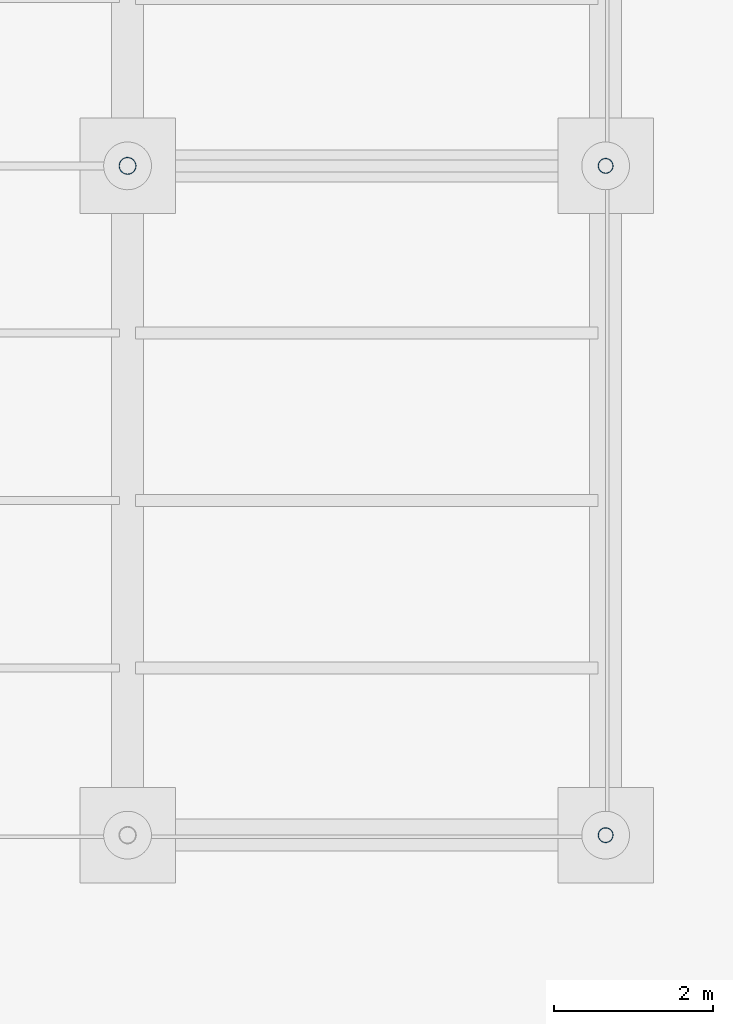
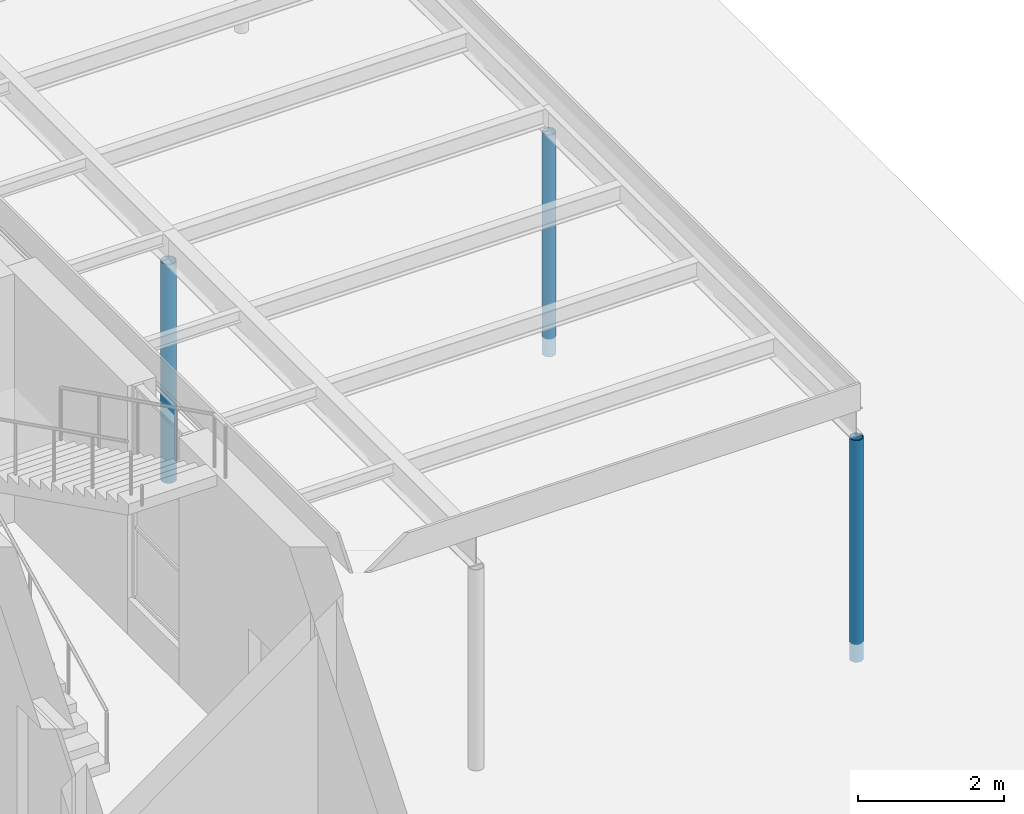
# One storey, part 25 of 138: 3 columns.
"""IFC4 building model written with IfcOpenShell, lengths in metres."""

import ifcopenshell
import ifcopenshell.guid

model = None  # the IFC model being written
_history = None  # IfcOwnerHistory: only IFC2X3 demands one
_inside = {}  # id of a spatial element -> (the spatial element, [elements in it])
_under = {}  # id of a project, library or spatial element -> (it, [spatial elements below it])
_declared = {}  # id of a project -> (the project, [libraries it declares])
_typed = {}  # id of a type object -> (the type object, [elements of that type])
_made_of = {}  # id of a material, layer set ... -> (it, [elements and type objects made of it])


def new_model(schema):
    """Start an empty IFC model of exactly this schema.

    Asked for "IFC4X3", IfcOpenShell would pick the latest addendum, in which some entities
    have other attributes; the version numbers below select the first issue.
    IFC2X3 requires an IfcOwnerHistory on every rooted entity: one is made here for all.
    """
    global model, _history
    if schema == "IFC4X3":
        model = ifcopenshell.file(schema_version=(4, 3, 0, 0))
    else:
        model = ifcopenshell.file(schema=schema)
    _inside.clear()
    _under.clear()
    _declared.clear()
    _typed.clear()
    _made_of.clear()
    _history = None
    if model.schema == "IFC2X3":
        org = make("IfcOrganization", Name="unknown")
        user = make(
            "IfcPersonAndOrganization",
            ThePerson=make("IfcPerson", FamilyName="unknown"),
            TheOrganization=org,
        )
        app = make(
            "IfcApplication",
            ApplicationDeveloper=org,
            Version="unknown",
            ApplicationFullName="unknown",
            ApplicationIdentifier="unknown",
        )
        _history = make(
            "IfcOwnerHistory",
            OwningUser=user,
            OwningApplication=app,
            ChangeAction="ADDED",
            CreationDate=0,
        )
    return model


def make(cls, **values):
    """One entity of the class cls with the attributes given. An attribute that is None is left unset."""
    return model.create_entity(
        cls, **{name: value for name, value in values.items() if value is not None}
    )


def rooted(cls, **values):
    """An entity with a GlobalId (a new one), such as an element, a storey or a relation."""
    return make(cls, GlobalId=ifcopenshell.guid.new(), OwnerHistory=_history, **values)


def si_unit(unit_type, name, prefix=None):
    """IfcSIUnit, for example si_unit("LENGTHUNIT", "METRE", prefix="MILLI")."""
    return make("IfcSIUnit", UnitType=unit_type, Prefix=prefix, Name=name)


def assignment(units):
    """IfcUnitAssignment: the units of a project."""
    return None if units is None else make("IfcUnitAssignment", Units=units)


def point(xyz):
    """IfcCartesianPoint."""
    return None if xyz is None else make("IfcCartesianPoint", Coordinates=xyz)


def direction(xyz):
    """IfcDirection."""
    return None if xyz is None else make("IfcDirection", DirectionRatios=xyz)


def frame(location, z_axis=None, x_axis=None):
    """IfcAxis2Placement3D, a coordinate frame: its origin and axes. An axis left out is left unset."""
    return make(
        "IfcAxis2Placement3D",
        Location=point(location),
        Axis=direction(z_axis),
        RefDirection=direction(x_axis),
    )


def frame_2d(location, x_axis=None):
    """IfcAxis2Placement2D, a coordinate frame in the plane: its origin and x axis."""
    return make(
        "IfcAxis2Placement2D", Location=point(location), RefDirection=direction(x_axis)
    )


def origin():
    """The frame at (0, 0, 0) with its axes left unset."""
    return frame((0.0, 0.0, 0.0))


def origin_2d():
    """The frame at (0, 0) in the plane with its x axis left unset."""
    return frame_2d((0.0, 0.0))


def place(relative_to, where):
    """IfcLocalPlacement: puts the frame where relative to a parent placement (None: the world)."""
    return make(
        "IfcLocalPlacement", PlacementRelTo=relative_to, RelativePlacement=where
    )


def context(
    kind, dimensions, precision=None, world=None, true_north=None, identifier=None
):
    """IfcGeometricRepresentationContext, for example the 3D "Model" context."""
    return make(
        "IfcGeometricRepresentationContext",
        ContextIdentifier=identifier,
        ContextType=kind,
        CoordinateSpaceDimension=dimensions,
        Precision=precision,
        WorldCoordinateSystem=world,
        TrueNorth=true_north,
    )


def subcontext(parent, identifier, kind, view, scale=None):
    """IfcGeometricRepresentationSubContext, for example "Body" below "Model"."""
    return make(
        "IfcGeometricRepresentationSubContext",
        ContextIdentifier=identifier,
        ContextType=kind,
        ParentContext=parent,
        TargetScale=scale,
        TargetView=view,
    )


def project(units=None, contexts=None):
    """IfcProject with its units and contexts."""
    return rooted(
        "IfcProject",
        Name="project",
        RepresentationContexts=contexts,
        UnitsInContext=assignment(units),
    )


def spatial(cls, under=None, at=None, **own):
    """A site, building, storey or space (cls), placed at a placement, below another one or the project."""
    s = rooted(cls, ObjectPlacement=at, **own)
    if under is not None:
        _under.setdefault(under.id(), (under, []))[1].append(s)
    return s


def profile(cls, at=None, kind="AREA", **sizes):
    """A parametric profile (cls). Its sizes go by their IFC names, for example OverallWidth=200.0."""
    return make(cls, ProfileType=kind, Position=at, **sizes)


def hollow_circle(**sizes):
    """IfcCircleHollowProfileDef."""
    return profile("IfcCircleHollowProfileDef", **sizes)


def extrude(swept, where, along, depth):
    """IfcExtrudedAreaSolid: the profile swept, set in the frame where, extruded along a direction by depth."""
    return make(
        "IfcExtrudedAreaSolid",
        SweptArea=swept,
        Position=where,
        ExtrudedDirection=direction(along),
        Depth=depth,
    )


def shape(context_of_items, identifier, shape_type, items):
    """IfcShapeRepresentation: the items that make up one representation, for example the "Body"."""
    return make(
        "IfcShapeRepresentation",
        ContextOfItems=context_of_items,
        RepresentationIdentifier=identifier,
        RepresentationType=shape_type,
        Items=items,
    )


def material(Name=None, Category=None):
    """IfcMaterial."""
    return make("IfcMaterial", Name=Name, Category=Category)


def material_profile(
    of_material, cross_section, Name=None, Category=None, Priority=None
):
    """IfcMaterialProfile: a cross section and its material."""
    return make(
        "IfcMaterialProfile",
        Name=Name,
        Material=of_material,
        Profile=cross_section,
        Priority=Priority,
        Category=Category,
    )


def profile_set(profiles, Name=None, composite=None):
    """IfcMaterialProfileSet."""
    return make(
        "IfcMaterialProfileSet",
        Name=Name,
        MaterialProfiles=profiles,
        CompositeProfile=composite,
    )


def made_of(thing, what):
    """Note that an element or type object is made of a material, layer set ...; save() writes the relation."""
    if what is not None:
        _made_of.setdefault(what.id(), (what, []))[1].append(thing)
    return thing


def type_object(cls, material=None, **own):
    """A type object (cls), such as IfcWallType, which elements share."""
    return made_of(rooted(cls, **own), material)


def element(
    cls,
    number,
    at=None,
    inside=None,
    cuts=None,
    type_object=None,
    material=None,
    context=None,
    identifier="Body",
    shape_type=None,
    held_by="IfcProductDefinitionShape",
    body=None,
    shapes=None,
    **own,
):
    """One element of the class cls, such as IfcWall. Its Tag is "e" and its number.

    at: its placement. inside: the storey or other place that contains it. cuts: it is an
    opening in that element (IfcRelVoidsElement). A single representation is given by context,
    identifier, shape_type and body (its items); several are given by shapes. held_by: the class
    of the entity that holds the representations. save() writes the other relations.
    """
    e = rooted(cls, Tag="e%d" % number, ObjectPlacement=at, **own)
    if body is not None:
        shapes = [shape(context, identifier, shape_type, body)]
    if shapes is not None:
        e.Representation = make(held_by, Representations=shapes)
    if inside is not None:
        _inside.setdefault(inside.id(), (inside, []))[1].append(e)
    if cuts is not None:
        rooted(
            "IfcRelVoidsElement", RelatingBuildingElement=cuts, RelatedOpeningElement=e
        )
    if type_object is not None:
        _typed.setdefault(type_object.id(), (type_object, []))[1].append(e)
    return made_of(e, material)


def aggregate(whole, parts):
    """IfcRelAggregates: a whole, such as a stair, and the parts it consists of."""
    return rooted("IfcRelAggregates", RelatingObject=whole, RelatedObjects=parts)


def save(model, path):
    """Write the relations noted so far, then the file.

    IfcRelAggregates (storeys below a building ...), IfcRelContainedInSpatialStructure (elements
    in a storey), IfcRelDefinesByType, IfcRelAssociatesMaterial and IfcRelDeclares: one each for
    every whole, place, type object, material and project.
    """
    for whole, parts in _under.values():
        aggregate(whole, parts)
    for where, things in _inside.values():
        rooted(
            "IfcRelContainedInSpatialStructure",
            RelatedElements=things,
            RelatingStructure=where,
        )
    for kind, things in _typed.values():
        rooted("IfcRelDefinesByType", RelatedObjects=things, RelatingType=kind)
    for what, things in _made_of.values():
        rooted("IfcRelAssociatesMaterial", RelatedObjects=things, RelatingMaterial=what)
    for by, libraries in _declared.values():
        rooted("IfcRelDeclares", RelatingContext=by, RelatedDefinitions=libraries)
    model.write(path)


model = new_model("IFC4")

# Units and contexts
model_context = context("Model", 3, precision=1e-05, world=origin(), true_north=direction((0.0, 1.0)))
body_context = subcontext(model_context, "Body", "Model", "MODEL_VIEW")
ifc_project = project(units=[si_unit("LENGTHUNIT", "METRE"), si_unit("AREAUNIT", "SQUARE_METRE"), si_unit("VOLUMEUNIT", "CUBIC_METRE"), si_unit("PLANEANGLEUNIT", "RADIAN"), si_unit("MASSUNIT", "GRAM", prefix="KILO")], contexts=[model_context])

# Site, building, storey
site_placement = place(None, origin())
site = spatial("IfcSite", under=ifc_project, at=site_placement, CompositionType="ELEMENT")
building_placement = place(site_placement, origin())
building = spatial("IfcBuilding", under=site, at=building_placement, Name="Yavir Park General Hospital", CompositionType="ELEMENT")
storey_placement = place(building_placement, origin())
storey = spatial("IfcBuildingStorey", under=building, at=storey_placement, Name="L00", CompositionType="ELEMENT", Elevation=0.0)

# Columns
ifc_material_1 = material(Name="Steel S355", Category="steel")
ifc_material_profile_1 = material_profile(ifc_material_1, hollow_circle(Radius=0.096923828125, WallThickness=0.010009765625, at=origin_2d()), Name="CHS193.7x10")
ifc_profile_set_1 = profile_set([ifc_material_profile_1], Name="Steel S355")
column_type_1 = type_object("IfcColumnType", Name="CHS 193.7x10 outer column", PredefinedType="COLUMN", material=ifc_profile_set_1)
for number, where, z_axis, x_axis, name in (
    (1, (176.39990234375, 50.39990234375, -0.300048828125), (0.0, 0.0, 1.0), (1.0, 0.0, 0.0), "C:AMB:10"),
    (2, (176.39990234375, 58.800048828125, -0.300048828125), (0.0, 0.0, 1.0), (1.0, 0.0, 0.0), "C:AMB:11"),
):
    element("IfcColumn", number, at=place(storey_placement, frame(where, z_axis=z_axis, x_axis=x_axis)), inside=storey, type_object=column_type_1, Name=name, PredefinedType="COLUMN", context=body_context, shape_type="SweptSolid", body=[
        extrude(hollow_circle(Radius=0.096923828125, WallThickness=0.010009765625, at=origin_2d()), origin(), (0.0, 0.0, 1.0), 3.699951171875),
    ])
ifc_material_2 = material(Name="Steel S355", Category="steel")
ifc_material_profile_2 = material_profile(ifc_material_2, hollow_circle(Radius=0.109619140625, WallThickness=0.010009765625, at=origin_2d()), Name="CHS219.1x10")
ifc_profile_set_2 = profile_set([ifc_material_profile_2], Name="Steel S355")
column_type_2 = type_object("IfcColumnType", Name="CHS 219.1x10 column", PredefinedType="COLUMN", material=ifc_profile_set_2)
column_placement = place(storey_placement, frame((170.39990234375, 58.800048828125, -0.300048828125), z_axis=(0.0, 0.0, 1.0), x_axis=(1.0, 0.0, 0.0)))
element("IfcColumn", 3, at=column_placement, inside=storey, type_object=column_type_2, Name="C:AMB:01", PredefinedType="COLUMN", context=body_context, shape_type="SweptSolid", body=[
    extrude(hollow_circle(Radius=0.109619140625, WallThickness=0.010009765625, at=origin_2d()), origin(), (0.0, 0.0, 1.0), 3.650146484375),
])

save(model, "model.ifc")
